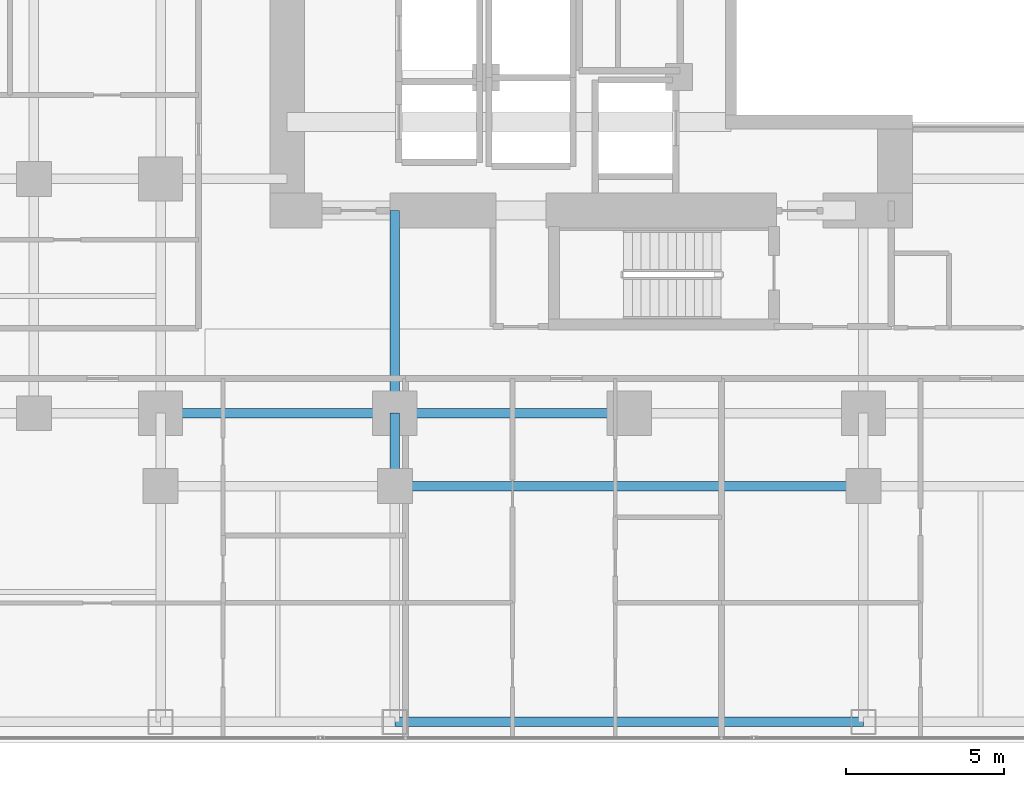
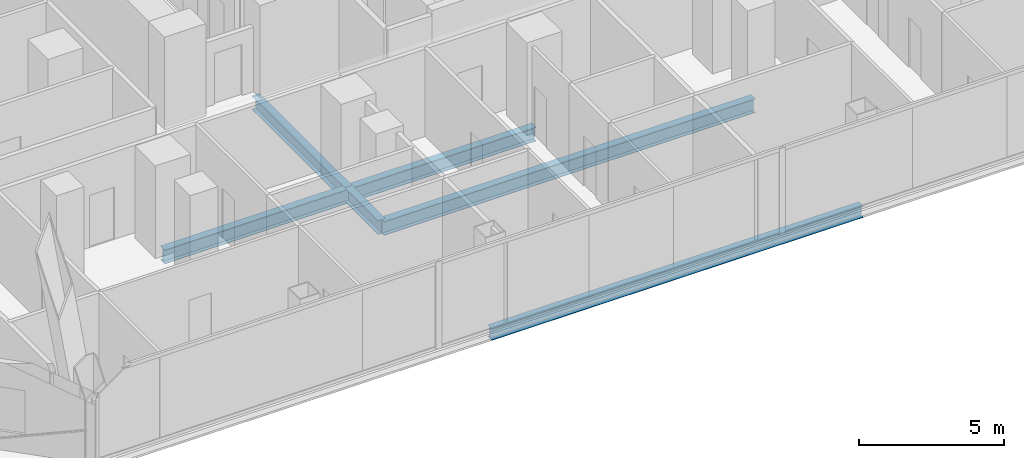
# One storey, part 5 of 33: 6 beams.
"""IFC4 building model written with IfcOpenShell, lengths in metres."""

from ifc_helpers import new_model, si_unit, direction, frame, origin, origin_2d, place, context, subcontext, project, spatial, i_section, extrude, material, material_profile, profile_set, type_object, element, save


model = new_model("IFC4")

# Units and contexts
model_context = context("Model", 3, precision=1e-05, world=origin(), true_north=direction((0.0, 1.0)))
body_context = subcontext(model_context, "Body", "Model", "MODEL_VIEW")
ifc_project = project(units=[si_unit("LENGTHUNIT", "METRE"), si_unit("AREAUNIT", "SQUARE_METRE"), si_unit("VOLUMEUNIT", "CUBIC_METRE"), si_unit("PLANEANGLEUNIT", "RADIAN"), si_unit("MASSUNIT", "GRAM", prefix="KILO")], contexts=[model_context])

# Site, building, storey
site_placement = place(None, origin())
site = spatial("IfcSite", under=ifc_project, at=site_placement, CompositionType="ELEMENT")
building_placement = place(site_placement, origin())
building = spatial("IfcBuilding", under=site, at=building_placement, Name="Khorvyn Point Tower", CompositionType="ELEMENT")
storey_placement = place(building_placement, frame((0.0, 0.0, 65.699951171875)))
storey = spatial("IfcBuildingStorey", under=building, at=storey_placement, Name="L17", CompositionType="ELEMENT", Elevation=65.699951171875)

# Beams
ifc_material = material(Name="Steel S355", Category="steel")
ifc_material_profile_1 = material_profile(ifc_material, i_section(OverallWidth=0.300048828125, OverallDepth=0.587890625, WebThickness=0.011962890625, FlangeThickness=0.02001953125, at=origin_2d()))
ifc_profile_set_1 = profile_set([ifc_material_profile_1], Name="Steel S355 H588x300x12x20")
beam_type_1 = type_object("IfcBeamType", Name="Steel S355 Beam H588x300x12x20", PredefinedType="BEAM", material=ifc_profile_set_1)
beam_1_placement = place(storey_placement, frame((-14.800048828125, -14.800048828125, -0.513916015625), z_axis=(1.0, 0.0, 0.0), x_axis=(0.0, 1.0, 0.0)))
element("IfcBeam", 1, at=beam_1_placement, inside=storey, type_object=beam_type_1, Name="Beam", PredefinedType="BEAM", context=body_context, shape_type="SweptSolid", body=[
    extrude(i_section(OverallWidth=0.300048828125, OverallDepth=0.587890625, WebThickness=0.011962890625, FlangeThickness=0.02001953125, at=origin_2d()), origin(), (0.0, 0.0, 1.0), 7.400146484375),
])
beam_2_placement = place(storey_placement, frame((-7.39990234375, -14.800048828125, -0.513916015625), z_axis=(1.0, 0.0, 0.0), x_axis=(0.0, 1.0, 0.0)))
element("IfcBeam", 2, at=beam_2_placement, inside=storey, type_object=beam_type_1, Name="Beam", PredefinedType="BEAM", context=body_context, shape_type="SweptSolid", body=[
    extrude(i_section(OverallWidth=0.300048828125, OverallDepth=0.587890625, WebThickness=0.011962890625, FlangeThickness=0.02001953125, at=origin_2d()), origin(), (0.0, 0.0, 1.0), 7.39990234375),
])
beam_3_placement = place(storey_placement, frame((-7.39990234375, -17.10009765625, -0.513916015625), z_axis=(1.0, 0.0, 0.0), x_axis=(0.0, 1.0, 0.0)))
element("IfcBeam", 3, at=beam_3_placement, inside=storey, type_object=beam_type_1, Name="Beam", PredefinedType="BEAM", context=body_context, shape_type="SweptSolid", body=[
    extrude(i_section(OverallWidth=0.300048828125, OverallDepth=0.587890625, WebThickness=0.011962890625, FlangeThickness=0.02001953125, at=origin_2d()), origin(), (0.0, 0.0, 1.0), 14.7998046875),
])
beam_4_placement = place(storey_placement, frame((-7.39990234375, -17.10009765625, -0.513916015625), z_axis=(0.0, 1.0, 0.0), x_axis=(-1.0, 0.0, 0.0)))
element("IfcBeam", 4, at=beam_4_placement, inside=storey, type_object=beam_type_1, Name="Beam", PredefinedType="BEAM", context=body_context, shape_type="SweptSolid", body=[
    extrude(i_section(OverallWidth=0.300048828125, OverallDepth=0.587890625, WebThickness=0.011962890625, FlangeThickness=0.02001953125, at=origin_2d()), origin(), (0.0, 0.0, 1.0), 2.300048828125),
])
beam_5_placement = place(storey_placement, frame((-7.39990234375, -14.800048828125, -0.513916015625), z_axis=(0.0, 1.0, 0.0), x_axis=(-1.0, 0.0, 0.0)))
element("IfcBeam", 5, at=beam_5_placement, inside=storey, type_object=beam_type_1, Name="Beam", PredefinedType="BEAM", context=body_context, shape_type="SweptSolid", body=[
    extrude(i_section(OverallWidth=0.300048828125, OverallDepth=0.587890625, WebThickness=0.011962890625, FlangeThickness=0.02001953125, at=origin_2d()), origin(), (0.0, 0.0, 1.0), 6.400146484375),
])
ifc_material_profile_2 = material_profile(ifc_material, i_section(OverallWidth=0.300048828125, OverallDepth=0.488037109375, WebThickness=0.010986328125, FlangeThickness=0.01806640625, at=origin_2d()))
ifc_profile_set_2 = profile_set([ifc_material_profile_2], Name="Steel S355 H488x300x11x18")
beam_type_2 = type_object("IfcBeamType", Name="Steel S355 Spandrel H488x300x11x18", PredefinedType="SPANDREL", material=ifc_profile_set_2)
beam_6_placement = place(storey_placement, frame((-7.39990234375, -24.550048828125, -0.4638671875), z_axis=(1.0, 0.0, 0.0), x_axis=(0.0, 1.0, 0.0)))
element("IfcBeam", 6, at=beam_6_placement, inside=storey, type_object=beam_type_2, Name="Beam", PredefinedType="SPANDREL", context=body_context, shape_type="SweptSolid", body=[
    extrude(i_section(OverallWidth=0.300048828125, OverallDepth=0.488037109375, WebThickness=0.010986328125, FlangeThickness=0.01806640625, at=origin_2d()), origin(), (0.0, 0.0, 1.0), 14.7998046875),
])

save(model, "model.ifc")
